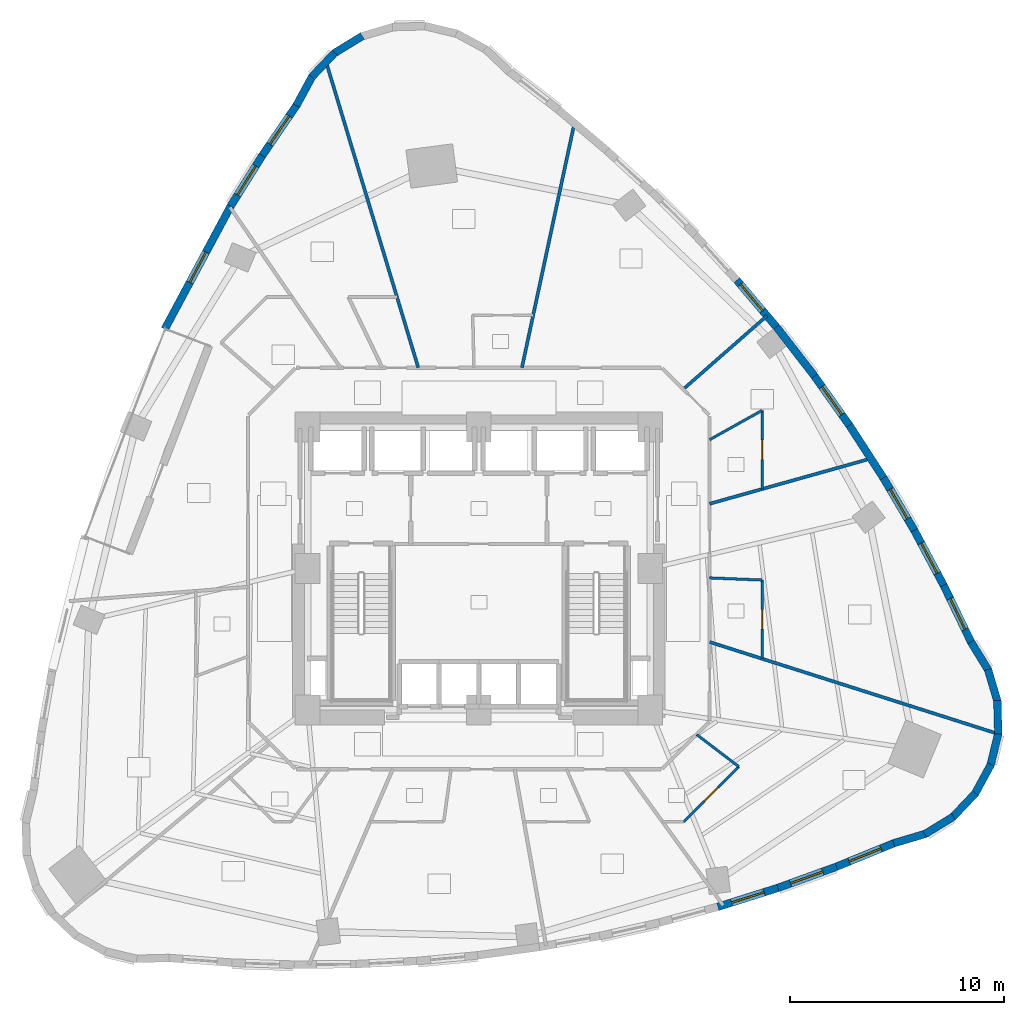
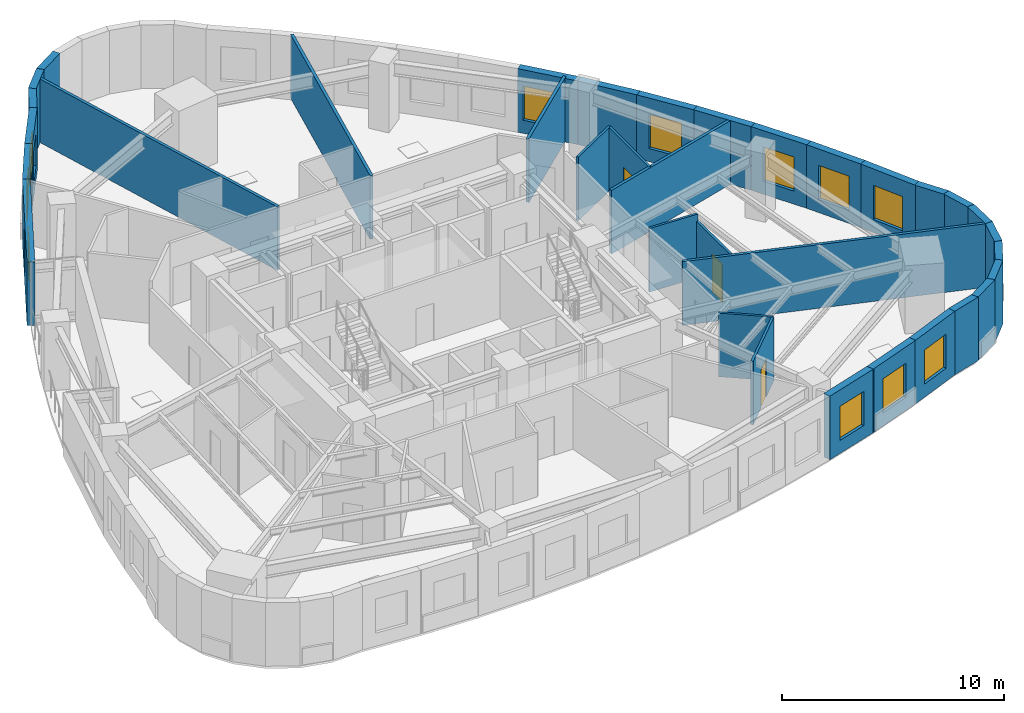
# One storey, part 8 of 12: 35 walls, 11 windows, 3 doors, 14 openings.
"""IFC4 building model written with IfcOpenShell, lengths in metres."""

from ifc_helpers import new_model, si_unit, direction, frame, frame_2d, origin, place, context, subcontext, project, spatial, rectangle, extrude, material, layer, layer_set, type_object, element, fill, save


model = new_model("IFC4")

# Units and contexts
model_context = context("Model", 3, precision=1e-05, world=origin(), true_north=direction((0.0, 1.0)))
body_context = subcontext(model_context, "Body", "Model", "MODEL_VIEW")
ifc_project = project(units=[si_unit("LENGTHUNIT", "METRE"), si_unit("AREAUNIT", "SQUARE_METRE"), si_unit("VOLUMEUNIT", "CUBIC_METRE"), si_unit("PLANEANGLEUNIT", "RADIAN"), si_unit("MASSUNIT", "GRAM", prefix="KILO")], contexts=[model_context])

# Site, building, storey
site_placement = place(None, origin())
site = spatial("IfcSite", under=ifc_project, at=site_placement, CompositionType="ELEMENT")
building_placement = place(site_placement, origin())
building = spatial("IfcBuilding", under=site, at=building_placement, Name="Ndelora Gate Hotel", CompositionType="ELEMENT")
storey_placement = place(building_placement, frame((0.0, 0.0, 60.5)))
storey = spatial("IfcBuildingStorey", under=building, at=storey_placement, Name="L14", CompositionType="ELEMENT", Elevation=60.5)

# Walls
ifc_material_1 = material(Name="Clay Brick Masonry", Category="masonry")
ifc_layer_1 = layer(ifc_material_1, 0.360107421875)
ifc_layer_set_1 = layer_set([ifc_layer_1], Name="Clay Brick Masonry")
wall_type_1 = type_object("IfcWallType", Name="WL-BRICK-360", PredefinedType="SOLIDWALL", material=ifc_layer_set_1)
wall_1_placement = place(storey_placement, frame((-6.77001953125, 24.058349609375, 0.0), z_axis=(0.0, 0.0, 1.0), x_axis=(0.852621439608, 0.522529119496, 0.0)))
element("IfcWall", 1, at=wall_1_placement, inside=storey, type_object=wall_type_1, Name="L14 Tower Brick Pier-and-Spandrel Wall TWR-6", PredefinedType="SOLIDWALL", context=body_context, shape_type="SweptSolid", body=[
    extrude(rectangle(XDim=1.564208984375, YDim=0.360107421875, at=frame_2d((0.7822265625, 0.0))), origin(), (0.0, 0.0, 1.0), 3.5),
])
for number, where, z_axis, x_axis, name in (
    (2, (-7.80810546875, 22.955078125, 0.0), (0.0, 0.0, 1.0), (0.688367852729, 0.725361771345, 0.0), "L14 Tower Brick Pier-and-Spandrel Wall TWR-7"),
    (3, (-8.525390625, 21.62060546875, 0.0), (0.0, 0.0, 1.0), (0.477177977799, 0.878806678118, 0.0), "L14 Tower Brick Pier-and-Spandrel Wall TWR-8"),
):
    element("IfcWall", number, at=place(storey_placement, frame(where, z_axis=z_axis, x_axis=x_axis)), inside=storey, type_object=wall_type_1, Name=name, PredefinedType="SOLIDWALL", context=body_context, shape_type="SweptSolid", body=[
        extrude(rectangle(XDim=1.56396484375, YDim=0.360107421875, at=frame_2d((0.781982421875, 0.0))), origin(), (0.0, 0.0, 1.0), 3.5),
    ])

# Wall, opening, window
wall_2_placement = place(storey_placement, frame((-10.11572265625, 19.29150390625, 0.0), z_axis=(0.0, 0.0, 1.0), x_axis=(0.563210121539, 0.826313717057, 0.0)))
wall_2 = element("IfcWall", 4, at=wall_2_placement, inside=storey, type_object=wall_type_1, Name="L14 Tower Brick Pier-and-Spandrel Wall TWR-9", PredefinedType="SOLIDWALL", context=body_context, shape_type="SweptSolid", body=[
    extrude(rectangle(XDim=2.8701171875, YDim=0.360107421875, at=frame_2d((1.43505859375, 0.0))), origin(), (0.0, 0.0, 1.0), 3.5),
])
opening_1_placement = place(wall_2_placement, frame((0.635009765625, 0.0, 0.719970703125)))
opening_1 = element("IfcOpeningElement", 5, at=opening_1_placement, cuts=wall_2, Name="Opening W03", PredefinedType="OPENING", context=body_context, shape_type="SweptSolid", body=[
    extrude(rectangle(XDim=1.60009765625, YDim=1.8798828125, at=frame_2d((0.800048828125, 0.93994140625))), frame((0.0, 0.18994140625, 0.0), z_axis=(0.0, -1.0, 0.0), x_axis=(1.0, 0.0, 0.0)), (0.0, 0.0, 1.0), 0.380126953125),
])
ifc_material_2 = material(Name="Insulated Low-E Double Glazing in Bronze Aluminium Frame", Category="aluminium")
window_type_1 = type_object("IfcWindowType", Name="WN-CORN-2100", PartitioningType="SINGLE_PANEL", PredefinedType="WINDOW", material=ifc_material_2)
window_1_placement = place(opening_1_placement, origin())
window_1 = element("IfcWindow", 6, at=window_1_placement, inside=storey, type_object=window_type_1, Name="L14 Deep-Set Brick-Pier Window W03", OverallHeight=1.8798828125, OverallWidth=1.60009765625, PartitioningType="SINGLE_PANEL", PredefinedType="WINDOW", context=body_context, shape_type="SweptSolid", body=[
    extrude(rectangle(XDim=1.60009765625, YDim=1.8798828125, at=frame_2d((0.800048828125, 0.93994140625))), frame((0.0, 0.030029296875, 0.0), z_axis=(0.0, -1.0, 0.0), x_axis=(1.0, 0.0, 0.0)), (0.0, 0.0, 1.0), 0.06005859375),
])
fill(opening_1, window_1)

wall_3_placement = place(storey_placement, frame((-11.59814453125, 16.92041015625, 0.0), z_axis=(0.0, 0.0, 1.0), x_axis=(0.530399781812, 0.847747646092, 0.0)))
wall_3 = element("IfcWall", 7, at=wall_3_placement, inside=storey, type_object=wall_type_1, Name="L14 Tower Brick Pier-and-Spandrel Wall TWR-10", PredefinedType="SOLIDWALL", context=body_context, shape_type="SweptSolid", body=[
    extrude(rectangle(XDim=2.846435546875, YDim=0.360107421875, at=frame_2d((1.42333984375, 0.0))), origin(), (0.0, 0.0, 1.0), 3.5),
])
opening_2_placement = place(wall_3_placement, frame((0.623291015625, 0.0, 0.719970703125)))
opening_2 = element("IfcOpeningElement", 8, at=opening_2_placement, cuts=wall_3, Name="Opening W01", PredefinedType="OPENING", context=body_context, shape_type="SweptSolid", body=[
    extrude(rectangle(XDim=1.60009765625, YDim=1.8798828125, at=frame_2d((0.800048828125, 0.93994140625))), frame((0.0, 0.18994140625, 0.0), z_axis=(0.0, -1.0, 0.0), x_axis=(1.0, 0.0, 0.0)), (0.0, 0.0, 1.0), 0.380126953125),
])
window_type_2 = type_object("IfcWindowType", Name="WN-DEEP-1600", PartitioningType="SINGLE_PANEL", PredefinedType="WINDOW", material=ifc_material_2)
window_2_placement = place(opening_2_placement, origin())
window_2 = element("IfcWindow", 9, at=window_2_placement, inside=storey, type_object=window_type_2, Name="L14 Deep-Set Brick-Pier Window W01", OverallHeight=1.8798828125, OverallWidth=1.60009765625, PartitioningType="SINGLE_PANEL", PredefinedType="WINDOW", context=body_context, shape_type="SweptSolid", body=[
    extrude(rectangle(XDim=1.60009765625, YDim=1.8798828125, at=frame_2d((0.800048828125, 0.93994140625))), frame((0.0, 0.030029296875, 0.0), z_axis=(0.0, -1.0, 0.0), x_axis=(1.0, 0.0, 0.0)), (0.0, 0.0, 1.0), 0.06005859375),
])
fill(opening_2, window_2)

wall_4_placement = place(storey_placement, frame((-14.67431640625, 11.176513671875, 0.0), z_axis=(0.0, 0.0, 1.0), x_axis=(0.4723493591, 0.881411415264, 0.0)))
wall_4 = element("IfcWall", 10, at=wall_4_placement, inside=storey, type_object=wall_type_1, Name="L14 Tower Brick Pier-and-Spandrel Wall TWR-11", PredefinedType="SOLIDWALL", context=body_context, shape_type="SweptSolid", body=[
    extrude(rectangle(XDim=6.565673828125, YDim=0.360107421875, at=frame_2d((3.28271484375, 0.0))), origin(), (0.0, 0.0, 1.0), 3.5),
])
opening_3_placement = place(wall_4_placement, frame((2.48291015625, 0.0, 0.719970703125)))
opening_3 = element("IfcOpeningElement", 11, at=opening_3_placement, cuts=wall_4, Name="Opening W01", PredefinedType="OPENING", context=body_context, shape_type="SweptSolid", body=[
    extrude(rectangle(XDim=1.60009765625, YDim=1.8798828125, at=frame_2d((0.800048828125, 0.93994140625))), frame((0.0, 0.18994140625, 0.0), z_axis=(0.0, -1.0, 0.0), x_axis=(1.0, 0.0, 0.0)), (0.0, 0.0, 1.0), 0.380126953125),
])
window_3_placement = place(opening_3_placement, origin())
window_3 = element("IfcWindow", 12, at=window_3_placement, inside=storey, type_object=window_type_2, Name="L14 Deep-Set Brick-Pier Window W01", OverallHeight=1.8798828125, OverallWidth=1.60009765625, PartitioningType="SINGLE_PANEL", PredefinedType="WINDOW", context=body_context, shape_type="SweptSolid", body=[
    extrude(rectangle(XDim=1.60009765625, YDim=1.8798828125, at=frame_2d((0.800048828125, 0.93994140625))), frame((0.0, 0.030029296875, 0.0), z_axis=(0.0, -1.0, 0.0), x_axis=(1.0, 0.0, 0.0)), (0.0, 0.0, 1.0), 0.06005859375),
])
fill(opening_3, window_3)

wall_5_placement = place(storey_placement, frame((13.966796875, -14.92138671875, 0.0), z_axis=(0.0, 0.0, 1.0), x_axis=(-0.953689260009, -0.300793609212, 0.0)))
wall_5 = element("IfcWall", 13, at=wall_5_placement, inside=storey, type_object=wall_type_1, Name="L14 Tower Brick Pier-and-Spandrel Wall TWR-36", PredefinedType="SOLIDWALL", context=body_context, shape_type="SweptSolid", body=[
    extrude(rectangle(XDim=2.940673828125, YDim=0.360107421875, at=frame_2d((1.47021484375, 0.0))), origin(), (0.0, 0.0, 1.0), 3.5),
])
opening_4_placement = place(wall_5_placement, frame((0.67041015625, 0.0, 0.719970703125)))
opening_4 = element("IfcOpeningElement", 14, at=opening_4_placement, cuts=wall_5, Name="Opening W01", PredefinedType="OPENING", context=body_context, shape_type="SweptSolid", body=[
    extrude(rectangle(XDim=1.60009765625, YDim=1.8798828125, at=frame_2d((0.800048828125, 0.93994140625))), frame((0.0, 0.18994140625, 0.0), z_axis=(0.0, -1.0, 0.0), x_axis=(1.0, 0.0, 0.0)), (0.0, 0.0, 1.0), 0.380126953125),
])
window_4_placement = place(opening_4_placement, origin())
window_4 = element("IfcWindow", 15, at=window_4_placement, inside=storey, type_object=window_type_2, Name="L14 Deep-Set Brick-Pier Window W01", OverallHeight=1.8798828125, OverallWidth=1.60009765625, PartitioningType="SINGLE_PANEL", PredefinedType="WINDOW", context=body_context, shape_type="SweptSolid", body=[
    extrude(rectangle(XDim=1.60009765625, YDim=1.8798828125, at=frame_2d((0.800048828125, 0.93994140625))), frame((0.0, 0.030029296875, 0.0), z_axis=(0.0, -1.0, 0.0), x_axis=(1.0, 0.0, 0.0)), (0.0, 0.0, 1.0), 0.06005859375),
])
fill(opening_4, window_4)

wall_6_placement = place(storey_placement, frame((16.704345703125, -13.9296875, 0.0), z_axis=(0.0, 0.0, 1.0), x_axis=(-0.940338629153, -0.340240007234, 0.0)))
wall_6 = element("IfcWall", 16, at=wall_6_placement, inside=storey, type_object=wall_type_1, Name="L14 Tower Brick Pier-and-Spandrel Wall TWR-37", PredefinedType="SOLIDWALL", context=body_context, shape_type="SweptSolid", body=[
    extrude(rectangle(XDim=2.96142578125, YDim=0.360107421875, at=frame_2d((1.480712890625, 0.0))), origin(), (0.0, 0.0, 1.0), 3.5),
])
opening_5_placement = place(wall_6_placement, frame((0.6806640625, 0.0, 0.719970703125)))
opening_5 = element("IfcOpeningElement", 17, at=opening_5_placement, cuts=wall_6, Name="Opening W03", PredefinedType="OPENING", context=body_context, shape_type="SweptSolid", body=[
    extrude(rectangle(XDim=1.60009765625, YDim=1.8798828125, at=frame_2d((0.800048828125, 0.93994140625))), frame((0.0, 0.18994140625, 0.0), z_axis=(0.0, -1.0, 0.0), x_axis=(1.0, 0.0, 0.0)), (0.0, 0.0, 1.0), 0.380126953125),
])
window_5_placement = place(opening_5_placement, origin())
window_5 = element("IfcWindow", 18, at=window_5_placement, inside=storey, type_object=window_type_1, Name="L14 Deep-Set Brick-Pier Window W03", OverallHeight=1.8798828125, OverallWidth=1.60009765625, PartitioningType="SINGLE_PANEL", PredefinedType="WINDOW", context=body_context, shape_type="SweptSolid", body=[
    extrude(rectangle(XDim=1.60009765625, YDim=1.8798828125, at=frame_2d((0.800048828125, 0.93994140625))), frame((0.0, 0.030029296875, 0.0), z_axis=(0.0, -1.0, 0.0), x_axis=(1.0, 0.0, 0.0)), (0.0, 0.0, 1.0), 0.06005859375),
])
fill(opening_5, window_5)

wall_7_placement = place(storey_placement, frame((19.422607421875, -12.817626953125, 0.0), z_axis=(0.0, 0.0, 1.0), x_axis=(-0.925660187863, -0.378355939039, 0.0)))
wall_7 = element("IfcWall", 19, at=wall_7_placement, inside=storey, type_object=wall_type_1, Name="L14 Tower Brick Pier-and-Spandrel Wall TWR-38", PredefinedType="SOLIDWALL", context=body_context, shape_type="SweptSolid", body=[
    extrude(rectangle(XDim=2.987060546875, YDim=0.360107421875, at=frame_2d((1.49365234375, 0.0))), origin(), (0.0, 0.0, 1.0), 3.5),
])
opening_6_placement = place(wall_7_placement, frame((0.693603515625, 0.0, 0.719970703125)))
opening_6 = element("IfcOpeningElement", 20, at=opening_6_placement, cuts=wall_7, Name="Opening W01", PredefinedType="OPENING", context=body_context, shape_type="SweptSolid", body=[
    extrude(rectangle(XDim=1.60009765625, YDim=1.8798828125, at=frame_2d((0.800048828125, 0.93994140625))), frame((0.0, 0.18994140625, 0.0), z_axis=(0.0, -1.0, 0.0), x_axis=(1.0, 0.0, 0.0)), (0.0, 0.0, 1.0), 0.380126953125),
])
window_6_placement = place(opening_6_placement, origin())
window_6 = element("IfcWindow", 21, at=window_6_placement, inside=storey, type_object=window_type_2, Name="L14 Deep-Set Brick-Pier Window W01", OverallHeight=1.8798828125, OverallWidth=1.60009765625, PartitioningType="SINGLE_PANEL", PredefinedType="WINDOW", context=body_context, shape_type="SweptSolid", body=[
    extrude(rectangle(XDim=1.60009765625, YDim=1.8798828125, at=frame_2d((0.800048828125, 0.93994140625))), frame((0.0, 0.030029296875, 0.0), z_axis=(0.0, -1.0, 0.0), x_axis=(1.0, 0.0, 0.0)), (0.0, 0.0, 1.0), 0.06005859375),
])
fill(opening_6, window_6)

# Walls
wall_8_placement = place(storey_placement, frame((20.875244140625, -12.389892578125, 0.0), z_axis=(0.0, 0.0, 1.0), x_axis=(-0.958804410816, -0.284067072714, 0.0)))
element("IfcWall", 22, at=wall_8_placement, inside=storey, type_object=wall_type_1, Name="L14 Tower Brick Pier-and-Spandrel Wall TWR-39", PredefinedType="SOLIDWALL", context=body_context, shape_type="SweptSolid", body=[
    extrude(rectangle(XDim=1.564208984375, YDim=0.360107421875, at=frame_2d((0.7822265625, 0.0))), origin(), (0.0, 0.0, 1.0), 3.5),
])
for number, where, z_axis, x_axis, name in (
    (23, (22.16357421875, -11.5927734375, 0.0), (0.0, 0.0, 1.0), (-0.852578817714, -0.522598660144, 0.0), "L14 Tower Brick Pier-and-Spandrel Wall TWR-40"),
    (24, (23.20166015625, -10.489501953125, 0.0), (0.0, 0.0, 1.0), (-0.688367852729, -0.725361771345, 0.0), "L14 Tower Brick Pier-and-Spandrel Wall TWR-41"),
):
    element("IfcWall", number, at=place(storey_placement, frame(where, z_axis=z_axis, x_axis=x_axis)), inside=storey, type_object=wall_type_1, Name=name, PredefinedType="SOLIDWALL", context=body_context, shape_type="SweptSolid", body=[
        extrude(rectangle(XDim=1.56396484375, YDim=0.360107421875, at=frame_2d((0.781982421875, 0.0))), origin(), (0.0, 0.0, 1.0), 3.5),
    ])
for number, where, z_axis, x_axis, name in (
    (25, (23.9189453125, -9.155029296875, 0.0), (0.0, 0.0, 1.0), (-0.477112528062, -0.878842213123, 0.0), "L14 Tower Brick Pier-and-Spandrel Wall TWR-42"),
    (26, (24.266357421875, -7.680419921875, 0.0), (0.0, 0.0, 1.0), (-0.233491011935, -0.97235896013, 0.0), "L14 Tower Brick Pier-and-Spandrel Wall TWR-43"),
):
    element("IfcWall", number, at=place(storey_placement, frame(where, z_axis=z_axis, x_axis=x_axis)), inside=storey, type_object=wall_type_1, Name=name, PredefinedType="SOLIDWALL", context=body_context, shape_type="SweptSolid", body=[
        extrude(rectangle(XDim=1.564208984375, YDim=0.360107421875, at=frame_2d((0.7822265625, 0.0))), origin(), (0.0, 0.0, 1.0), 3.5),
    ])
wall_9_placement = place(storey_placement, frame((24.22021484375, -6.166259765625, 0.0), z_axis=(0.0, 0.0, 1.0), x_axis=(0.026224581645, -0.999656076517, 0.0)))
element("IfcWall", 27, at=wall_9_placement, inside=storey, type_object=wall_type_1, Name="L14 Tower Brick Pier-and-Spandrel Wall TWR-44", PredefinedType="SOLIDWALL", context=body_context, shape_type="SweptSolid", body=[
    extrude(rectangle(XDim=1.56396484375, YDim=0.360107421875, at=frame_2d((0.781982421875, 0.0))), origin(), (0.0, 0.0, 1.0), 3.5),
])
for number, where, z_axis, x_axis, name in (
    (28, (23.78369140625, -4.71533203125, 0.0), (0.0, 0.0, 1.0), (0.283923577164, -0.958846912875, 0.0), "L14 Tower Brick Pier-and-Spandrel Wall TWR-45"),
    (29, (22.986572265625, -3.427001953125, 0.0), (0.0, 0.0, 1.0), (0.522529119496, -0.852621439608, 0.0), "L14 Tower Brick Pier-and-Spandrel Wall TWR-46"),
):
    element("IfcWall", number, at=place(storey_placement, frame(where, z_axis=z_axis, x_axis=x_axis)), inside=storey, type_object=wall_type_1, Name=name, PredefinedType="SOLIDWALL", context=body_context, shape_type="SweptSolid", body=[
        extrude(rectangle(XDim=1.564208984375, YDim=0.360107421875, at=frame_2d((0.7822265625, 0.0))), origin(), (0.0, 0.0, 1.0), 3.5),
    ])

# Wall, opening, window
wall_10_placement = place(storey_placement, frame((21.7119140625, -0.781005859375, 0.0), z_axis=(0.0, 0.0, 1.0), x_axis=(0.434746780096, -0.900552739819, 0.0)))
wall_10 = element("IfcWall", 30, at=wall_10_placement, inside=storey, type_object=wall_type_1, Name="L14 Tower Brick Pier-and-Spandrel Wall TWR-47", PredefinedType="SOLIDWALL", context=body_context, shape_type="SweptSolid", body=[
    extrude(rectangle(XDim=2.987060546875, YDim=0.360107421875, at=frame_2d((1.49365234375, 0.0))), origin(), (0.0, 0.0, 1.0), 3.5),
])
opening_7_placement = place(wall_10_placement, frame((0.693603515625, 0.0, 0.719970703125)))
opening_7 = element("IfcOpeningElement", 31, at=opening_7_placement, cuts=wall_10, Name="Opening W01", PredefinedType="OPENING", context=body_context, shape_type="SweptSolid", body=[
    extrude(rectangle(XDim=1.60009765625, YDim=1.8798828125, at=frame_2d((0.800048828125, 0.93994140625))), frame((0.0, 0.18994140625, 0.0), z_axis=(0.0, -1.0, 0.0), x_axis=(1.0, 0.0, 0.0)), (0.0, 0.0, 1.0), 0.380126953125),
])
window_7_placement = place(opening_7_placement, origin())
window_7 = element("IfcWindow", 32, at=window_7_placement, inside=storey, type_object=window_type_2, Name="L14 Deep-Set Brick-Pier Window W01", OverallHeight=1.8798828125, OverallWidth=1.60009765625, PartitioningType="SINGLE_PANEL", PredefinedType="WINDOW", context=body_context, shape_type="SweptSolid", body=[
    extrude(rectangle(XDim=1.60009765625, YDim=1.8798828125, at=frame_2d((0.800048828125, 0.93994140625))), frame((0.0, 0.030029296875, 0.0), z_axis=(0.0, -1.0, 0.0), x_axis=(1.0, 0.0, 0.0)), (0.0, 0.0, 1.0), 0.06005859375),
])
fill(opening_7, window_7)

wall_11_placement = place(storey_placement, frame((20.339111328125, 1.78662109375, 0.0), z_axis=(0.0, 0.0, 1.0), x_axis=(0.471187121095, -0.882033274267, 0.0)))
wall_11 = element("IfcWall", 33, at=wall_11_placement, inside=storey, type_object=wall_type_1, Name="L14 Tower Brick Pier-and-Spandrel Wall TWR-48", PredefinedType="SOLIDWALL", context=body_context, shape_type="SweptSolid", body=[
    extrude(rectangle(XDim=2.961669921875, YDim=0.360107421875, at=frame_2d((1.48095703125, 0.0))), origin(), (0.0, 0.0, 1.0), 3.5),
])
opening_8_placement = place(wall_11_placement, frame((0.6806640625, 0.0, 0.719970703125)))
opening_8 = element("IfcOpeningElement", 34, at=opening_8_placement, cuts=wall_11, Name="Opening W01", PredefinedType="OPENING", context=body_context, shape_type="SweptSolid", body=[
    extrude(rectangle(XDim=1.60009765625, YDim=1.8798828125, at=frame_2d((0.800048828125, 0.93994140625))), frame((0.0, 0.18994140625, 0.0), z_axis=(0.0, -1.0, 0.0), x_axis=(1.0, 0.0, 0.0)), (0.0, 0.0, 1.0), 0.380126953125),
])
window_8_placement = place(opening_8_placement, origin())
window_8 = element("IfcWindow", 35, at=window_8_placement, inside=storey, type_object=window_type_2, Name="L14 Deep-Set Brick-Pier Window W01", OverallHeight=1.8798828125, OverallWidth=1.60009765625, PartitioningType="SINGLE_PANEL", PredefinedType="WINDOW", context=body_context, shape_type="SweptSolid", body=[
    extrude(rectangle(XDim=1.60009765625, YDim=1.8798828125, at=frame_2d((0.800048828125, 0.93994140625))), frame((0.0, 0.030029296875, 0.0), z_axis=(0.0, -1.0, 0.0), x_axis=(1.0, 0.0, 0.0)), (0.0, 0.0, 1.0), 0.06005859375),
])
fill(opening_8, window_8)

wall_12_placement = place(storey_placement, frame((18.87158203125, 4.277099609375, 0.0), z_axis=(0.0, 0.0, 1.0), x_axis=(0.507397387312, -0.861712185912, 0.0)))
wall_12 = element("IfcWall", 36, at=wall_12_placement, inside=storey, type_object=wall_type_1, Name="L14 Tower Brick Pier-and-Spandrel Wall TWR-49", PredefinedType="SOLIDWALL", context=body_context, shape_type="SweptSolid", body=[
    extrude(rectangle(XDim=2.94091796875, YDim=0.360107421875, at=frame_2d((1.470458984375, 0.0))), origin(), (0.0, 0.0, 1.0), 3.5),
])
opening_9_placement = place(wall_12_placement, frame((0.67041015625, 0.0, 0.719970703125)))
opening_9 = element("IfcOpeningElement", 37, at=opening_9_placement, cuts=wall_12, Name="Opening W03", PredefinedType="OPENING", context=body_context, shape_type="SweptSolid", body=[
    extrude(rectangle(XDim=1.60009765625, YDim=1.8798828125, at=frame_2d((0.800048828125, 0.93994140625))), frame((0.0, 0.18994140625, 0.0), z_axis=(0.0, -1.0, 0.0), x_axis=(1.0, 0.0, 0.0)), (0.0, 0.0, 1.0), 0.380126953125),
])
window_9_placement = place(opening_9_placement, origin())
window_9 = element("IfcWindow", 38, at=window_9_placement, inside=storey, type_object=window_type_1, Name="L14 Deep-Set Brick-Pier Window W03", OverallHeight=1.8798828125, OverallWidth=1.60009765625, PartitioningType="SINGLE_PANEL", PredefinedType="WINDOW", context=body_context, shape_type="SweptSolid", body=[
    extrude(rectangle(XDim=1.60009765625, YDim=1.8798828125, at=frame_2d((0.800048828125, 0.93994140625))), frame((0.0, 0.030029296875, 0.0), z_axis=(0.0, -1.0, 0.0), x_axis=(1.0, 0.0, 0.0)), (0.0, 0.0, 1.0), 0.06005859375),
])
fill(opening_9, window_9)

# Wall
wall_13_placement = place(storey_placement, frame((17.308837890625, 6.690673828125, 0.0), z_axis=(0.0, 0.0, 1.0), x_axis=(0.543168221009, -0.839623894185, 0.0)))
element("IfcWall", 39, at=wall_13_placement, inside=storey, type_object=wall_type_1, Name="L14 Tower Brick Pier-and-Spandrel Wall TWR-50", PredefinedType="SOLIDWALL", context=body_context, shape_type="SweptSolid", body=[
    extrude(rectangle(XDim=2.92529296875, YDim=0.360107421875, at=frame_2d((1.462646484375, 0.0))), origin(), (0.0, 0.0, 1.0), 3.5),
])

# Wall, opening, window
wall_14_placement = place(storey_placement, frame((15.651123046875, 9.02734375, 0.0), z_axis=(0.0, 0.0, 1.0), x_axis=(0.578342640262, -0.815793963237, 0.0)))
wall_14 = element("IfcWall", 40, at=wall_14_placement, inside=storey, type_object=wall_type_1, Name="L14 Tower Brick Pier-and-Spandrel Wall TWR-51", PredefinedType="SOLIDWALL", context=body_context, shape_type="SweptSolid", body=[
    extrude(rectangle(XDim=2.914794921875, YDim=0.360107421875, at=frame_2d((1.45751953125, 0.0))), origin(), (0.0, 0.0, 1.0), 3.5),
])
opening_10_placement = place(wall_14_placement, frame((0.657470703125, 0.0, 0.719970703125)))
opening_10 = element("IfcOpeningElement", 41, at=opening_10_placement, cuts=wall_14, Name="Opening W01", PredefinedType="OPENING", context=body_context, shape_type="SweptSolid", body=[
    extrude(rectangle(XDim=1.60009765625, YDim=1.8798828125, at=frame_2d((0.800048828125, 0.93994140625))), frame((0.0, 0.18994140625, 0.0), z_axis=(0.0, -1.0, 0.0), x_axis=(1.0, 0.0, 0.0)), (0.0, 0.0, 1.0), 0.380126953125),
])
window_10_placement = place(opening_10_placement, origin())
window_10 = element("IfcWindow", 42, at=window_10_placement, inside=storey, type_object=window_type_2, Name="L14 Deep-Set Brick-Pier Window W01", OverallHeight=1.8798828125, OverallWidth=1.60009765625, PartitioningType="SINGLE_PANEL", PredefinedType="WINDOW", context=body_context, shape_type="SweptSolid", body=[
    extrude(rectangle(XDim=1.60009765625, YDim=1.8798828125, at=frame_2d((0.800048828125, 0.93994140625))), frame((0.0, 0.030029296875, 0.0), z_axis=(0.0, -1.0, 0.0), x_axis=(1.0, 0.0, 0.0)), (0.0, 0.0, 1.0), 0.06005859375),
])
fill(opening_10, window_10)

# Wall
wall_15_placement = place(storey_placement, frame((13.898681640625, 11.287109375, 0.0), z_axis=(0.0, 0.0, 1.0), x_axis=(0.612545453358, -0.79043536584, 0.0)))
element("IfcWall", 43, at=wall_15_placement, inside=storey, type_object=wall_type_1, Name="L14 Tower Brick Pier-and-Spandrel Wall TWR-52", PredefinedType="SOLIDWALL", context=body_context, shape_type="SweptSolid", body=[
    extrude(rectangle(XDim=2.909423828125, YDim=0.360107421875, at=frame_2d((1.45458984375, 0.0))), origin(), (0.0, 0.0, 1.0), 3.5),
])

# Wall, opening, window
wall_16_placement = place(storey_placement, frame((12.051025390625, 13.4697265625, 0.0), z_axis=(0.0, 0.0, 1.0), x_axis=(0.645836916795, -0.763475393779, 0.0)))
wall_16 = element("IfcWall", 44, at=wall_16_placement, inside=storey, type_object=wall_type_1, Name="L14 Tower Brick Pier-and-Spandrel Wall TWR-53", PredefinedType="SOLIDWALL", context=body_context, shape_type="SweptSolid", body=[
    extrude(rectangle(XDim=2.90966796875, YDim=0.360107421875, at=frame_2d((1.454833984375, 0.0))), origin(), (0.0, 0.0, 1.0), 3.5),
])
opening_11_placement = place(wall_16_placement, frame((0.260009765625, 0.0, 0.719970703125)))
opening_11 = element("IfcOpeningElement", 45, at=opening_11_placement, cuts=wall_16, Name="Opening W03", PredefinedType="OPENING", context=body_context, shape_type="SweptSolid", body=[
    extrude(rectangle(XDim=1.60009765625, YDim=1.8798828125, at=frame_2d((0.800048828125, 0.93994140625))), frame((0.0, 0.18994140625, 0.0), z_axis=(0.0, -1.0, 0.0), x_axis=(1.0, 0.0, 0.0)), (0.0, 0.0, 1.0), 0.380126953125),
])
window_11_placement = place(opening_11_placement, origin())
window_11 = element("IfcWindow", 46, at=window_11_placement, inside=storey, type_object=window_type_1, Name="L14 Deep-Set Brick-Pier Window W03", OverallHeight=1.8798828125, OverallWidth=1.60009765625, PartitioningType="SINGLE_PANEL", PredefinedType="WINDOW", context=body_context, shape_type="SweptSolid", body=[
    extrude(rectangle(XDim=1.60009765625, YDim=1.8798828125, at=frame_2d((0.800048828125, 0.93994140625))), frame((0.0, 0.030029296875, 0.0), z_axis=(0.0, -1.0, 0.0), x_axis=(1.0, 0.0, 0.0)), (0.0, 0.0, 1.0), 0.06005859375),
])
fill(opening_11, window_11)

# Walls
ifc_material_3 = material(Name="Fire-Rated Gypsum Stud Partition", Category="gypsum")
ifc_layer_2 = layer(ifc_material_3, 0.14990234375)
ifc_layer_set_2 = layer_set([ifc_layer_2], Name="Fire-Rated Gypsum Stud Partition")
wall_type_2 = type_object("IfcWallType", Name="WL-PART-150", PredefinedType="PARTITIONING", material=ifc_layer_set_2)
wall_17_placement = place(storey_placement, frame((10.780029296875, -3.433349609375, 0.0), z_axis=(0.0, 0.0, 1.0), x_axis=(0.952837774097, -0.303480108497, 0.0)))
element("IfcWall", 47, at=wall_17_placement, inside=storey, type_object=wall_type_2, Name="L14 Interior Wall IW-5", PredefinedType="PARTITIONING", context=body_context, shape_type="SweptSolid", body=[
    extrude(rectangle(XDim=14.142578125, YDim=0.14990234375, at=frame_2d((7.0712890625, 0.0))), origin(), (0.0, 0.0, 1.0), 3.5),
])
wall_18_placement = place(storey_placement, frame((10.780029296875, 3.0234375, 0.0), z_axis=(0.0, 0.0, 1.0), x_axis=(0.962851172518, 0.27003262688, 0.0)))
element("IfcWall", 48, at=wall_18_placement, inside=storey, type_object=wall_type_2, Name="L14 Interior Wall IW-5", PredefinedType="PARTITIONING", context=body_context, shape_type="SweptSolid", body=[
    extrude(rectangle(XDim=7.8251953125, YDim=0.14990234375, at=frame_2d((3.91259765625, 0.0))), origin(), (0.0, 0.0, 1.0), 3.5),
])
wall_19_placement = place(storey_placement, frame((9.552490234375, 8.37744140625, 0.0), z_axis=(0.0, 0.0, 1.0), x_axis=(0.75184000053, 0.659345594967, 0.0)))
element("IfcWall", 49, at=wall_19_placement, inside=storey, type_object=wall_type_2, Name="L14 Interior Wall IW-5", PredefinedType="PARTITIONING", context=body_context, shape_type="SweptSolid", body=[
    extrude(rectangle(XDim=5.197265625, YDim=0.14990234375, at=frame_2d((2.5986328125, 0.0))), origin(), (0.0, 0.0, 1.0), 3.5),
])
wall_20_placement = place(storey_placement, frame((2.0126953125, 9.3798828125, 0.0), z_axis=(0.0, 0.0, 1.0), x_axis=(0.209810339196, 0.977742103812, 0.0)))
element("IfcWall", 50, at=wall_20_placement, inside=storey, type_object=wall_type_2, Name="L14 Interior Wall IW-5", PredefinedType="PARTITIONING", context=body_context, shape_type="SweptSolid", body=[
    extrude(rectangle(XDim=11.67822265625, YDim=0.14990234375, at=frame_2d((5.839111328125, 0.0))), origin(), (0.0, 0.0, 1.0), 3.5),
])
wall_21_placement = place(storey_placement, frame((-2.827880859375, 9.3798828125, 0.0), z_axis=(0.0, 0.0, 1.0), x_axis=(-0.288668703069, 0.957429046911, 0.0)))
element("IfcWall", 51, at=wall_21_placement, inside=storey, type_object=wall_type_2, Name="L14 Interior Wall IW-5", PredefinedType="PARTITIONING", context=body_context, shape_type="SweptSolid", body=[
    extrude(rectangle(XDim=14.919921875, YDim=0.14990234375, at=frame_2d((7.4599609375, 0.0))), origin(), (0.0, 0.0, 1.0), 3.5),
])
ifc_material_4 = material(Name="Moisture-Resistant Bathroom Tile Partition", Category="gypsum")
ifc_layer_3 = layer(ifc_material_4, 0.1201171875)
ifc_layer_set_3 = layer_set([ifc_layer_3], Name="Moisture-Resistant Bathroom Tile Partition")
wall_type_3 = type_object("IfcWallType", Name="WL-WET-120", PredefinedType="PARTITIONING", material=ifc_layer_set_3)
wall_22_placement = place(storey_placement, frame((10.1748046875, -7.755126953125, 0.0), z_axis=(0.0, 0.0, 1.0), x_axis=(0.795354638284, -0.606144371714, 0.0)))
element("IfcWall", 52, at=wall_22_placement, inside=storey, type_object=wall_type_3, Name="L14 Interior Wall IW-7", PredefinedType="PARTITIONING", context=body_context, shape_type="SweptSolid", body=[
    extrude(rectangle(XDim=2.47216796875, YDim=0.1201171875, at=frame_2d((1.236083984375, 0.0))), origin(), (0.0, 0.0, 1.0), 3.5),
])

# Wall, opening, door
wall_23_placement = place(storey_placement, frame((12.14111328125, -9.253662109375, 0.0), z_axis=(0.0, 0.0, 1.0), x_axis=(-0.707106781187, -0.707106781187, 0.0)))
wall_23 = element("IfcWall", 53, at=wall_23_placement, inside=storey, type_object=wall_type_3, Name="L14 Interior Wall IW-7", PredefinedType="PARTITIONING", context=body_context, shape_type="SweptSolid", body=[
    extrude(rectangle(XDim=3.6435546875, YDim=0.1201171875, at=frame_2d((1.82177734375, 0.0))), origin(), (0.0, 0.0, 1.0), 3.5),
])
opening_12_placement = place(wall_23_placement, frame((1.36181640625, 0.0, 0.0)))
opening_12 = element("IfcOpeningElement", 54, at=opening_12_placement, cuts=wall_23, Name="Opening D03", PredefinedType="OPENING", context=body_context, shape_type="SweptSolid", body=[
    extrude(rectangle(XDim=0.919921875, YDim=2.10009765625, at=frame_2d((0.4599609375, 1.050048828125))), frame((0.0, 0.070068359375, 0.0), z_axis=(0.0, -1.0, 0.0), x_axis=(1.0, 0.0, 0.0)), (0.0, 0.0, 1.0), 0.14013671875),
])
ifc_material_5 = material(Name="Moisture-Resistant Hardwood En-Suite Door", Category="wood")
door_type = type_object("IfcDoorType", Name="DR-BATH-920", OperationType="SINGLE_SWING_LEFT", PredefinedType="DOOR", material=ifc_material_5)
door_1_placement = place(opening_12_placement, origin())
door_1 = element("IfcDoor", 55, at=door_1_placement, inside=storey, type_object=door_type, Name="L14 En-suite Bathroom 1705 Door", OperationType="SINGLE_SWING_RIGHT", OverallHeight=2.10009765625, OverallWidth=0.919921875, PredefinedType="DOOR", context=body_context, shape_type="SweptSolid", body=[
    extrude(rectangle(XDim=0.919921875, YDim=2.10009765625, at=frame_2d((0.4599609375, 1.050048828125))), frame((0.0, 0.02490234375, 0.0), z_axis=(0.0, -1.0, 0.0), x_axis=(1.0, 0.0, 0.0)), (0.0, 0.0, 1.0), 0.050048828125),
])
fill(opening_12, door_1)

# Wall
wall_24_placement = place(storey_placement, frame((13.22998046875, -0.5390625, 0.0), z_axis=(0.0, 0.0, 1.0), x_axis=(-0.999170452606, 0.040723539125, 0.0)))
element("IfcWall", 56, at=wall_24_placement, inside=storey, type_object=wall_type_3, Name="L14 Interior Wall IW-7", PredefinedType="PARTITIONING", context=body_context, shape_type="SweptSolid", body=[
    extrude(rectangle(XDim=2.451904296875, YDim=0.1201171875, at=frame_2d((1.22607421875, 0.0))), origin(), (0.0, 0.0, 1.0), 3.5),
])

# Wall, opening, door
wall_25_placement = place(storey_placement, frame((13.22998046875, -0.5390625, 0.0), z_axis=(0.0, 0.0, 1.0), x_axis=(0.0, -1.0, 0.0)))
wall_25 = element("IfcWall", 57, at=wall_25_placement, inside=storey, type_object=wall_type_3, Name="L14 Interior Wall IW-7", PredefinedType="PARTITIONING", context=body_context, shape_type="SweptSolid", body=[
    extrude(rectangle(XDim=3.6748046875, YDim=0.1201171875, at=frame_2d((1.83740234375, 0.0))), origin(), (0.0, 0.0, 1.0), 3.1201171875),
])
opening_13_placement = place(wall_25_placement, frame((1.37744140625, 0.0, 0.0)))
opening_13 = element("IfcOpeningElement", 58, at=opening_13_placement, cuts=wall_25, Name="Opening D03", PredefinedType="OPENING", context=body_context, shape_type="SweptSolid", body=[
    extrude(rectangle(XDim=0.919921875, YDim=2.10009765625, at=frame_2d((0.4599609375, 1.050048828125))), frame((0.0, 0.070068359375, 0.0), z_axis=(0.0, -1.0, 0.0), x_axis=(1.0, 0.0, 0.0)), (0.0, 0.0, 1.0), 0.14013671875),
])
door_2_placement = place(opening_13_placement, origin())
door_2 = element("IfcDoor", 59, at=door_2_placement, inside=storey, type_object=door_type, Name="L14 En-suite Bathroom 1706 Door", OperationType="SINGLE_SWING_LEFT", OverallHeight=2.10009765625, OverallWidth=0.919921875, PredefinedType="DOOR", context=body_context, shape_type="SweptSolid", body=[
    extrude(rectangle(XDim=0.919921875, YDim=2.10009765625, at=frame_2d((0.4599609375, 1.050048828125))), frame((0.0, 0.02490234375, 0.0), z_axis=(0.0, -1.0, 0.0), x_axis=(1.0, 0.0, 0.0)), (0.0, 0.0, 1.0), 0.050048828125),
])
fill(opening_13, door_2)

# Wall
wall_26_placement = place(storey_placement, frame((13.22998046875, 7.3837890625, 0.0), z_axis=(0.0, 0.0, 1.0), x_axis=(-0.873232148454, -0.487304437602, 0.0)))
element("IfcWall", 60, at=wall_26_placement, inside=storey, type_object=wall_type_3, Name="L14 Interior Wall IW-7", PredefinedType="PARTITIONING", context=body_context, shape_type="SweptSolid", body=[
    extrude(rectangle(XDim=2.8056640625, YDim=0.1201171875, at=frame_2d((1.40283203125, 0.0))), origin(), (0.0, 0.0, 1.0), 3.5),
])

# Wall, opening, door
wall_27_placement = place(storey_placement, frame((13.22998046875, 7.3837890625, 0.0), z_axis=(0.0, 0.0, 1.0), x_axis=(0.0, -1.0, 0.0)))
wall_27 = element("IfcWall", 61, at=wall_27_placement, inside=storey, type_object=wall_type_3, Name="L14 Interior Wall IW-7", PredefinedType="PARTITIONING", context=body_context, shape_type="SweptSolid", body=[
    extrude(rectangle(XDim=3.67333984375, YDim=0.1201171875, at=frame_2d((1.836669921875, 0.0))), origin(), (0.0, 0.0, 1.0), 3.5),
])
opening_14_placement = place(wall_27_placement, frame((1.376708984375, 0.0, 0.0)))
opening_14 = element("IfcOpeningElement", 62, at=opening_14_placement, cuts=wall_27, Name="Opening D03", PredefinedType="OPENING", context=body_context, shape_type="SweptSolid", body=[
    extrude(rectangle(XDim=0.919921875, YDim=2.10009765625, at=frame_2d((0.4599609375, 1.050048828125))), frame((0.0, 0.070068359375, 0.0), z_axis=(0.0, -1.0, 0.0), x_axis=(1.0, 0.0, 0.0)), (0.0, 0.0, 1.0), 0.14013671875),
])
door_3_placement = place(opening_14_placement, origin())
door_3 = element("IfcDoor", 63, at=door_3_placement, inside=storey, type_object=door_type, Name="L14 En-suite Bathroom 1707 Door", OperationType="SINGLE_SWING_RIGHT", OverallHeight=2.10009765625, OverallWidth=0.919921875, PredefinedType="DOOR", context=body_context, shape_type="SweptSolid", body=[
    extrude(rectangle(XDim=0.919921875, YDim=2.10009765625, at=frame_2d((0.4599609375, 1.050048828125))), frame((0.0, 0.02490234375, 0.0), z_axis=(0.0, -1.0, 0.0), x_axis=(1.0, 0.0, 0.0)), (0.0, 0.0, 1.0), 0.050048828125),
])
fill(opening_14, door_3)

save(model, "model.ifc")
